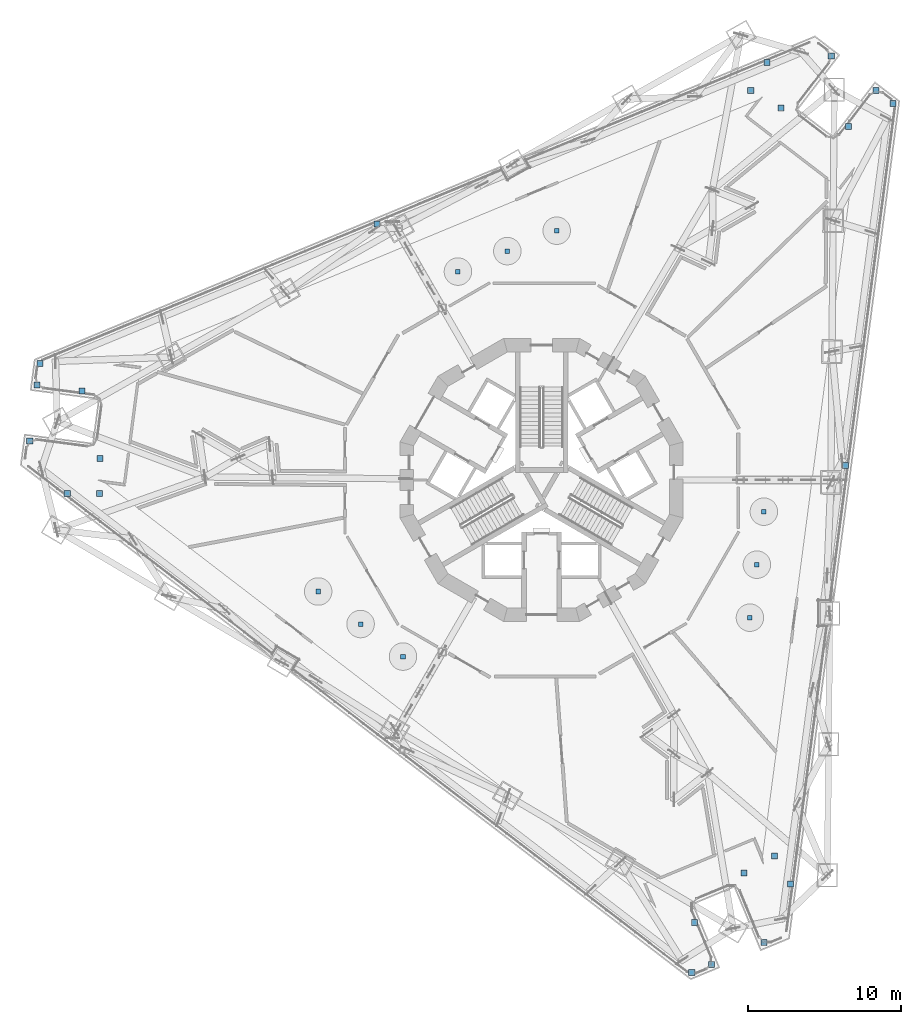
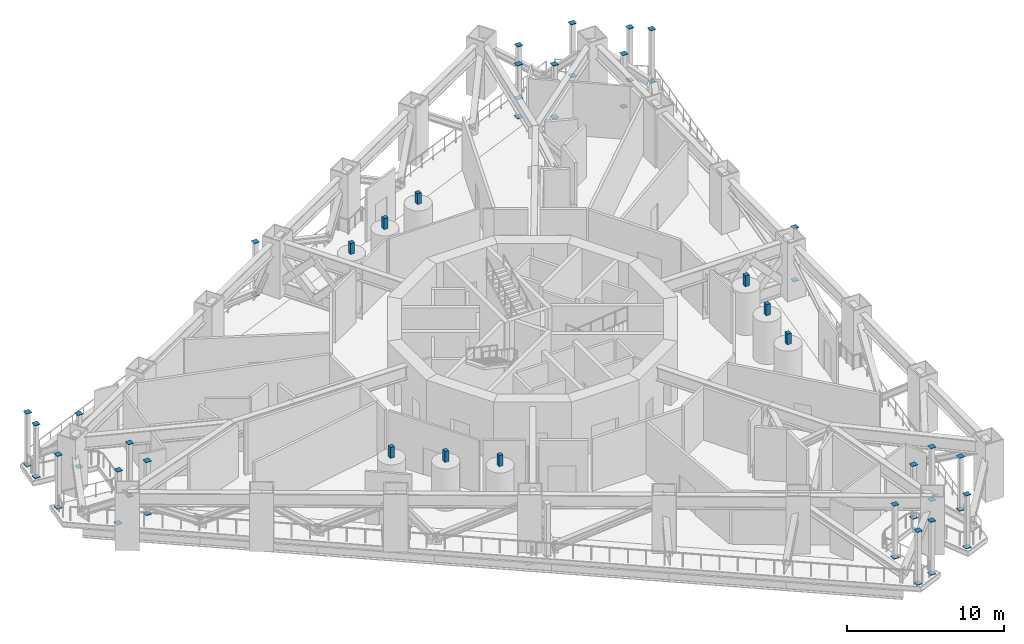
# One storey, part 15 of 23: 55 discrete accessories.
"""IFC4 building model written with IfcOpenShell, lengths in metres."""

from ifc_helpers import new_model, si_unit, direction, frame, origin, origin_2d, place, context, subcontext, project, spatial, rectangle, extrude, material, element, save


model = new_model("IFC4")

# Units and contexts
model_context = context("Model", 3, precision=1e-05, world=origin(), true_north=direction((0.0, 1.0)))
body_context = subcontext(model_context, "Body", "Model", "MODEL_VIEW")
ifc_project = project(units=[si_unit("LENGTHUNIT", "METRE"), si_unit("AREAUNIT", "SQUARE_METRE"), si_unit("VOLUMEUNIT", "CUBIC_METRE"), si_unit("PLANEANGLEUNIT", "RADIAN"), si_unit("MASSUNIT", "GRAM", prefix="KILO")], contexts=[model_context])

# Site, building, storey
site_placement = place(None, origin())
site = spatial("IfcSite", under=ifc_project, at=site_placement, CompositionType="ELEMENT")
building_placement = place(site_placement, origin())
building = spatial("IfcBuilding", under=site, at=building_placement, Name="Trine Commons Tower", CompositionType="ELEMENT")
storey_placement = place(building_placement, frame((0.0, 0.0, 156.60009765625)))
storey = spatial("IfcBuildingStorey", under=building, at=storey_placement, Name="L40", CompositionType="ELEMENT", Elevation=156.60009765625)

# Discrete accessories
ifc_material_1 = material(Name="Structural steel ASTM A572 Gr50", Category="steel")
for number, where, z_axis, x_axis, name in (
    (1, (46.4892578125, 65.0458984375, 0.0), (0.0, 0.0, 1.0), (1.0, 0.0, 0.0), "Post base plate SP4-11"),
    (2, (46.4892578125, 65.0458984375, 4.1201171875), (0.0, 0.0, 1.0), (1.0, 0.0, 0.0), "Post cap plate SP4-11"),
    (3, (51.06591796875, 61.6025390625, 0.0), (0.0, 0.0, 1.0), (1.0, 0.0, 0.0), "Post base plate SP4-12"),
    (4, (51.06591796875, 61.6025390625, 4.1201171875), (0.0, 0.0, 1.0), (1.0, 0.0, 0.0), "Post cap plate SP4-12"),
    (5, (51.086181640625, 63.90234375, 0.0), (0.0, 0.0, 1.0), (1.0, 0.0, 0.0), "Post base plate SP4-13"),
    (6, (51.086181640625, 63.90234375, 4.1201171875), (0.0, 0.0, 1.0), (1.0, 0.0, 0.0), "Post cap plate SP4-13"),
    (7, (48.943603515625, 61.62109375, 0.0), (0.0, 0.0, 1.0), (1.0, 0.0, 0.0), "Post base plate SP4-14"),
    (8, (48.943603515625, 61.62109375, 4.1201171875), (0.0, 0.0, 1.0), (1.0, 0.0, 0.0), "Post cap plate SP4-14"),
    (9, (46.97216796875, 68.714111328125, 0.0), (0.0, 0.0, 1.0), (1.0, 0.0, 0.0), "Post base plate SP4-21"),
    (10, (46.97216796875, 68.714111328125, 4.1201171875), (0.0, 0.0, 1.0), (1.0, 0.0, 0.0), "Post cap plate SP4-21"),
    (11, (47.156494140625, 70.114013671875, 0.0), (0.0, 0.0, 1.0), (1.0, 0.0, 0.0), "Post base plate SP4-22"),
    (12, (47.156494140625, 70.114013671875, 4.1201171875), (0.0, 0.0, 1.0), (1.0, 0.0, 0.0), "Post cap plate SP4-22"),
    (13, (69.235107421875, 79.259521484375, 0.0), (0.0, 0.0, 1.0), (1.0, 0.0, 0.0), "Post base plate SP4-23"),
    (14, (69.235107421875, 79.259521484375, 4.1201171875), (0.0, 0.0, 1.0), (1.0, 0.0, 0.0), "Post cap plate SP4-23"),
    (15, (49.912353515625, 68.3271484375, 0.0), (0.0, 0.0, 1.0), (1.0, 0.0, 0.0), "Post base plate SP4-24"),
    (16, (49.912353515625, 68.3271484375, 4.1201171875), (0.0, 0.0, 1.0), (1.0, 0.0, 0.0), "Post cap plate SP4-24"),
    (17, (91.13232421875, 30.789794921875, 0.0), (0.0, 0.0, 1.0), (1.0, 0.0, 0.0), "Post base plate SP4-31"),
    (18, (91.13232421875, 30.789794921875, 4.1201171875), (0.0, 0.0, 1.0), (1.0, 0.0, 0.0), "Post cap plate SP4-31"),
    (19, (89.827880859375, 30.24951171875, 0.0), (0.0, 0.0, 1.0), (1.0, 0.0, 0.0), "Post base plate SP4-32"),
    (20, (89.827880859375, 30.24951171875, 4.1201171875), (0.0, 0.0, 1.0), (1.0, 0.0, 0.0), "Post cap plate SP4-32"),
    (21, (89.997314453125, 33.52978515625, 0.0), (0.0, 0.0, 1.0), (1.0, 0.0, 0.0), "Post base plate SP4-34"),
    (22, (89.997314453125, 33.52978515625, 4.1201171875), (0.0, 0.0, 1.0), (1.0, 0.0, 0.0), "Post cap plate SP4-34"),
    (23, (94.55078125, 32.205810546875, 0.0), (0.0, 0.0, 1.0), (1.0, 0.0, 0.0), "Post base plate SP4-41"),
    (24, (94.55078125, 32.205810546875, 4.1201171875), (0.0, 0.0, 1.0), (1.0, 0.0, 0.0), "Post cap plate SP4-41"),
    (25, (95.244384765625, 37.89111328125, 0.0), (0.0, 0.0, 1.0), (1.0, 0.0, 0.0), "Post base plate SP4-42"),
    (26, (95.244384765625, 37.89111328125, 4.1201171875), (0.0, 0.0, 1.0), (1.0, 0.0, 0.0), "Post cap plate SP4-42"),
    (27, (93.242431640625, 36.758544921875, 0.0), (0.0, 0.0, 1.0), (1.0, 0.0, 0.0), "Post base plate SP4-43"),
    (28, (93.242431640625, 36.758544921875, 4.1201171875), (0.0, 0.0, 1.0), (1.0, 0.0, 0.0), "Post cap plate SP4-43"),
    (29, (96.289306640625, 36.0439453125, 0.0), (0.0, 0.0, 1.0), (1.0, 0.0, 0.0), "Post base plate SP4-44"),
    (30, (96.289306640625, 36.0439453125, 4.1201171875), (0.0, 0.0, 1.0), (1.0, 0.0, 0.0), "Post cap plate SP4-44"),
    (31, (98.960205078125, 90.248291015625, 0.0), (0.0, 0.0, 1.0), (1.0, 0.0, 0.0), "Post base plate SP4-51"),
    (32, (98.960205078125, 90.248291015625, 4.1201171875), (0.0, 0.0, 1.0), (1.0, 0.0, 0.0), "Post cap plate SP4-51"),
    (33, (93.689697265625, 88.00634765625, 0.0), (0.0, 0.0, 1.0), (1.0, 0.0, 0.0), "Post base plate SP4-52"),
    (34, (93.689697265625, 88.00634765625, 4.1201171875), (0.0, 0.0, 1.0), (1.0, 0.0, 0.0), "Post cap plate SP4-52"),
    (35, (95.67138671875, 86.839111328125, 0.0), (0.0, 0.0, 1.0), (1.0, 0.0, 0.0), "Post base plate SP4-53"),
    (36, (95.67138671875, 86.839111328125, 4.1201171875), (0.0, 0.0, 1.0), (1.0, 0.0, 0.0), "Post cap plate SP4-53"),
    (37, (94.766845703125, 89.8349609375, 0.0), (0.0, 0.0, 1.0), (1.0, 0.0, 0.0), "Post base plate SP4-54"),
    (38, (94.766845703125, 89.8349609375, 4.1201171875), (0.0, 0.0, 1.0), (1.0, 0.0, 0.0), "Post cap plate SP4-54"),
    (39, (101.8955078125, 87.995849609375, 0.0), (0.0, 0.0, 1.0), (1.0, 0.0, 0.0), "Post base plate SP4-61"),
    (40, (101.8955078125, 87.995849609375, 4.1201171875), (0.0, 0.0, 1.0), (1.0, 0.0, 0.0), "Post cap plate SP4-61"),
    (41, (103.015869140625, 87.13623046875, 0.0), (0.0, 0.0, 1.0), (1.0, 0.0, 0.0), "Post base plate SP4-62"),
    (42, (103.015869140625, 87.13623046875, 4.1201171875), (0.0, 0.0, 1.0), (1.0, 0.0, 0.0), "Post cap plate SP4-62"),
    (43, (99.896484375, 63.44287109375, 0.0), (0.0, 0.0, 1.0), (1.0, 0.0, 0.0), "Post base plate SP4-63"),
    (44, (99.896484375, 63.44287109375, 4.1201171875), (0.0, 0.0, 1.0), (1.0, 0.0, 0.0), "Post cap plate SP4-63"),
    (45, (100.09033203125, 85.643310546875, 0.0), (0.0, 0.0, 1.0), (1.0, 0.0, 0.0), "Post base plate SP4-64"),
    (46, (100.09033203125, 85.643310546875, 4.1201171875), (0.0, 0.0, 1.0), (1.0, 0.0, 0.0), "Post cap plate SP4-64"),
):
    element("IfcDiscreteAccessory", number, at=place(storey_placement, frame(where, z_axis=z_axis, x_axis=x_axis)), inside=storey, material=ifc_material_1, Name=name, PredefinedType="BRACKET", context=body_context, shape_type="SweptSolid", body=[
        extrude(rectangle(XDim=0.39990234375, YDim=0.39990234375, at=origin_2d()), origin(), (0.0, 0.0, 1.0), 0.030029296875),
    ])
ifc_material_2 = material(Name="Stainless steel bracket", Category="steel")
for number, where, z_axis, x_axis, name in (
    (47, (70.92529296875, 50.93603515625, 3.2998046875), (0.0, 0.0, 1.0), (1.0, 0.0, 0.0), "Turbine T1 head bracket"),
    (48, (68.1484375, 53.066650390625, 3.2998046875), (0.0, 0.0, 1.0), (1.0, 0.0, 0.0), "Turbine T2 head bracket"),
    (49, (65.371826171875, 55.197265625, 3.2998046875), (0.0, 0.0, 1.0), (1.0, 0.0, 0.0), "Turbine T3 head bracket"),
    (50, (74.522705078125, 76.14111328125, 3.2998046875), (0.0, 0.0, 1.0), (1.0, 0.0, 0.0), "Turbine T4 head bracket"),
    (51, (77.756103515625, 77.48046875, 3.2998046875), (0.0, 0.0, 1.0), (1.0, 0.0, 0.0), "Turbine T5 head bracket"),
    (52, (80.98974609375, 78.819580078125, 3.2998046875), (0.0, 0.0, 1.0), (1.0, 0.0, 0.0), "Turbine T6 head bracket"),
    (53, (94.552001953125, 60.423095703125, 3.2998046875), (0.0, 0.0, 1.0), (1.0, 0.0, 0.0), "Turbine T7 head bracket"),
    (54, (94.09521484375, 56.952880859375, 3.2998046875), (0.0, 0.0, 1.0), (1.0, 0.0, 0.0), "Turbine T8 head bracket"),
    (55, (93.638427734375, 53.48291015625, 3.2998046875), (0.0, 0.0, 1.0), (1.0, 0.0, 0.0), "Turbine T9 head bracket"),
):
    element("IfcDiscreteAccessory", number, at=place(storey_placement, frame(where, z_axis=z_axis, x_axis=x_axis)), inside=storey, material=ifc_material_2, Name=name, PredefinedType="BRACKET", context=body_context, shape_type="SweptSolid", body=[
        extrude(rectangle(XDim=0.300048828125, YDim=0.300048828125, at=origin_2d()), origin(), (0.0, 0.0, 1.0), 0.85009765625),
    ])

save(model, "model.ifc")
